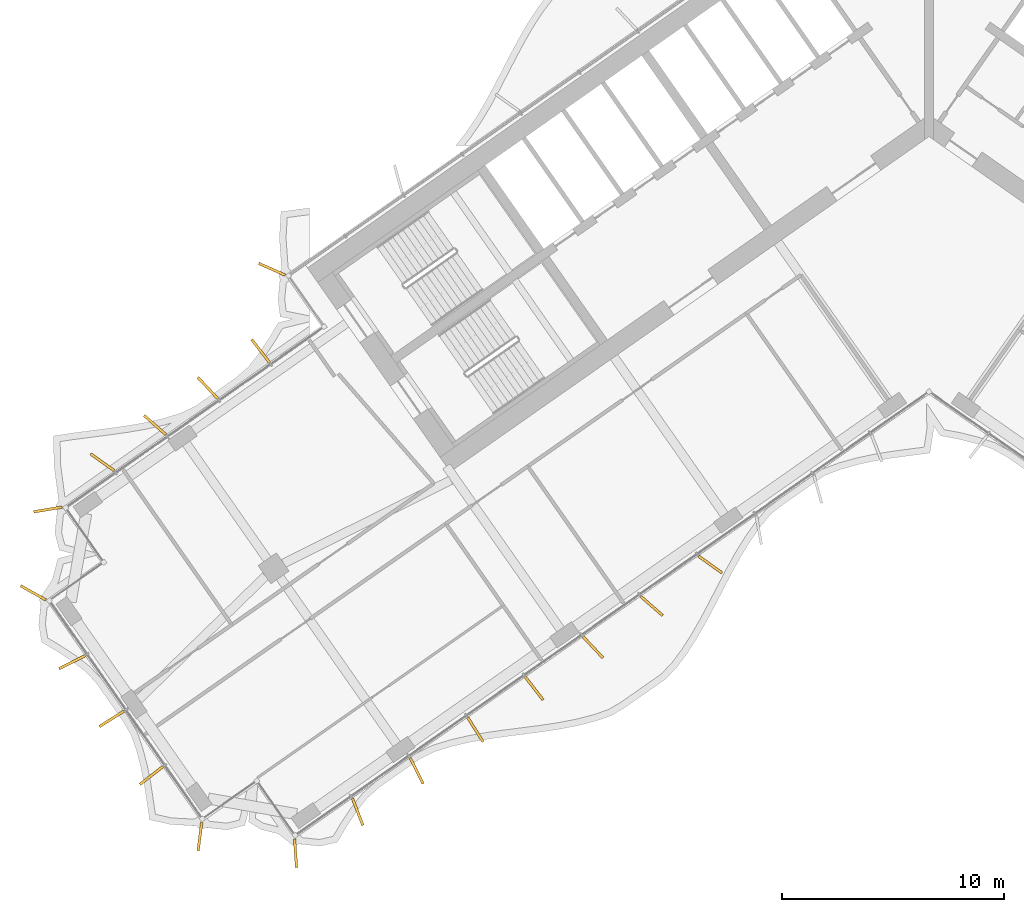
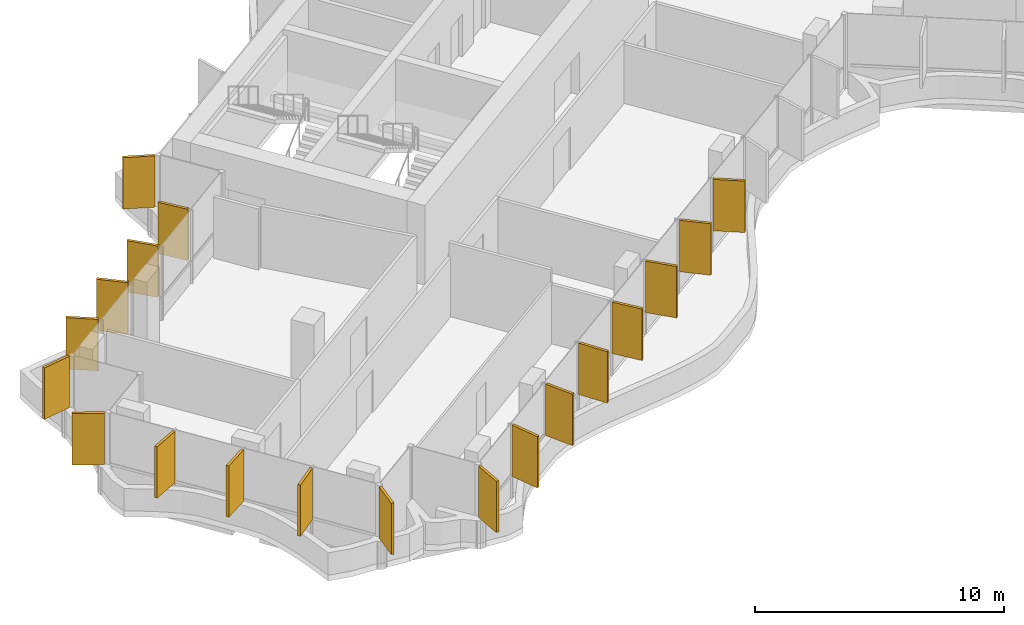
# One storey, part 17 of 21: 19 shading devices.
"""IFC4 building model written with IfcOpenShell, lengths in metres."""

from ifc_helpers import new_model, si_unit, direction, frame, origin, origin_2d, place, context, subcontext, project, spatial, rectangle, extrude, material, layer, layer_set, type_object, element, save


model = new_model("IFC4")

# Units and contexts
model_context = context("Model", 3, precision=1e-05, world=origin(), true_north=direction((0.0, 1.0)))
body_context = subcontext(model_context, "Body", "Model", "MODEL_VIEW")
ifc_project = project(units=[si_unit("LENGTHUNIT", "METRE"), si_unit("AREAUNIT", "SQUARE_METRE"), si_unit("VOLUMEUNIT", "CUBIC_METRE"), si_unit("PLANEANGLEUNIT", "RADIAN"), si_unit("MASSUNIT", "GRAM", prefix="KILO")], contexts=[model_context])

# Site, building, storey
site_placement = place(None, origin())
site = spatial("IfcSite", under=ifc_project, at=site_placement, CompositionType="ELEMENT")
building_placement = place(site_placement, origin())
building = spatial("IfcBuilding", under=site, at=building_placement, Name="Tel Ilan Convention Tower", CompositionType="ELEMENT")
storey_placement = place(building_placement, frame((0.0, 0.0, 155.39990234375)))
storey = spatial("IfcBuildingStorey", under=building, at=storey_placement, Name="L35", CompositionType="ELEMENT", Elevation=155.39990234375)

# Shading devices
ifc_material = material(Name="Aluminium, bronze anodised", Category="aluminium")
ifc_layer = layer(ifc_material, 0.1201171875)
ifc_layer_set = layer_set([ifc_layer], Name="FIN BRONZE 1300x120")
shading_device_type = type_object("IfcShadingDeviceType", Name="FIN BRONZE 1300x120", PredefinedType="USERDEFINED", material=ifc_layer_set)
for number, where, z_axis, x_axis, name in (
    (1, (-29.56689453125, -7.193359375, 1.10009765625), (0.0, 0.0, 1.0), (-0.914332505315, 0.404964282034, 0.0), "FIN"),
    (2, (-30.078857421875, -10.865966796875, 1.10009765625), (0.0, 0.0, 1.0), (-0.612600545196, 0.790392669516, 0.0), "FIN"),
    (3, (-32.456298828125, -12.531005859375, 1.10009765625), (0.0, 0.0, 1.0), (-0.686241637865, 0.727373641577, 0.0), "FIN"),
    (4, (-34.82958984375, -14.20068359375, 1.10009765625), (0.0, 0.0, 1.0), (-0.753435896329, 0.657521368568, 0.0), "FIN"),
    (5, (-37.1982421875, -15.87451171875, 1.10009765625), (0.0, 0.0, 1.0), (-0.813552070258, 0.581492071294, 0.0), "FIN"),
    (6, (-39.64501953125, -18.000732421875, 1.10009765625), (0.0, 0.0, 1.0), (-0.986445172547, -0.16409119891, 0.0), "FIN"),
    (7, (-40.306640625, -21.752685546875, 1.10009765625), (0.0, 0.0, 1.0), (-0.870832754082, 0.491579408049, 0.0), "FIN"),
    (8, (-38.5595703125, -24.870361328125, 1.10009765625), (0.0, 0.0, 1.0), (-0.893632640321, -0.448799180206, 0.0), "FIN"),
    (9, (-36.7744140625, -27.42041015625, 1.10009765625), (0.0, 0.0, 1.0), (-0.845986425922, -0.533204432798, 0.0), "FIN"),
    (10, (-34.989013671875, -29.970458984375, 1.10009765625), (0.0, 0.0, 1.0), (-0.790392669516, -0.612600545196, 0.0), "FIN"),
    (11, (-32.805908203125, -32.716552734375, 1.10009765625), (0.0, 0.0, 1.0), (-0.125718016748, -0.992066016082, 0.0), "FIN"),
    (12, (-28.50390625, -33.46826171875, 1.10009765625), (0.0, 0.0, 1.0), (0.067821812994, -0.997697449973, 0.0), "FIN"),
    (13, (-25.70849609375, -31.606689453125, 1.10009765625), (0.0, 0.0, 1.0), (0.360177724803, -0.932883704733, 0.0), "FIN"),
    (14, (-23.05908203125, -29.759521484375, 1.10009765625), (0.0, 0.0, 1.0), (0.448799180206, -0.893632640321, 0.0), "FIN"),
    (15, (-20.41259765625, -27.90673828125, 1.10009765625), (0.0, 0.0, 1.0), (0.533204432798, -0.845986425922, 0.0), "FIN"),
    (16, (-17.765869140625, -26.053466796875, 1.10009765625), (0.0, 0.0, 1.0), (0.612600545196, -0.790392669516, 0.0), "FIN"),
    (17, (-15.11962890625, -24.2001953125, 1.10009765625), (0.0, 0.0, 1.0), (0.686241637865, -0.727373641577, 0.0), "FIN"),
    (18, (-12.4775390625, -22.34228515625, 1.10009765625), (0.0, 0.0, 1.0), (0.753435896329, -0.657521368568, 0.0), "FIN"),
    (19, (-9.84033203125, -20.48046875, 1.10009765625), (0.0, 0.0, 1.0), (0.813552070258, -0.581492071294, 0.0), "FIN"),
):
    element("IfcShadingDevice", number, at=place(storey_placement, frame(where, z_axis=z_axis, x_axis=x_axis)), inside=storey, type_object=shading_device_type, Name=name, ObjectType="FIN", PredefinedType="USERDEFINED", context=body_context, shape_type="SweptSolid", body=[
        extrude(rectangle(XDim=1.300048828125, YDim=0.1201171875, at=origin_2d()), origin(), (0.0, 0.0, 1.0), 2.52001953125),
    ])

save(model, "model.ifc")
